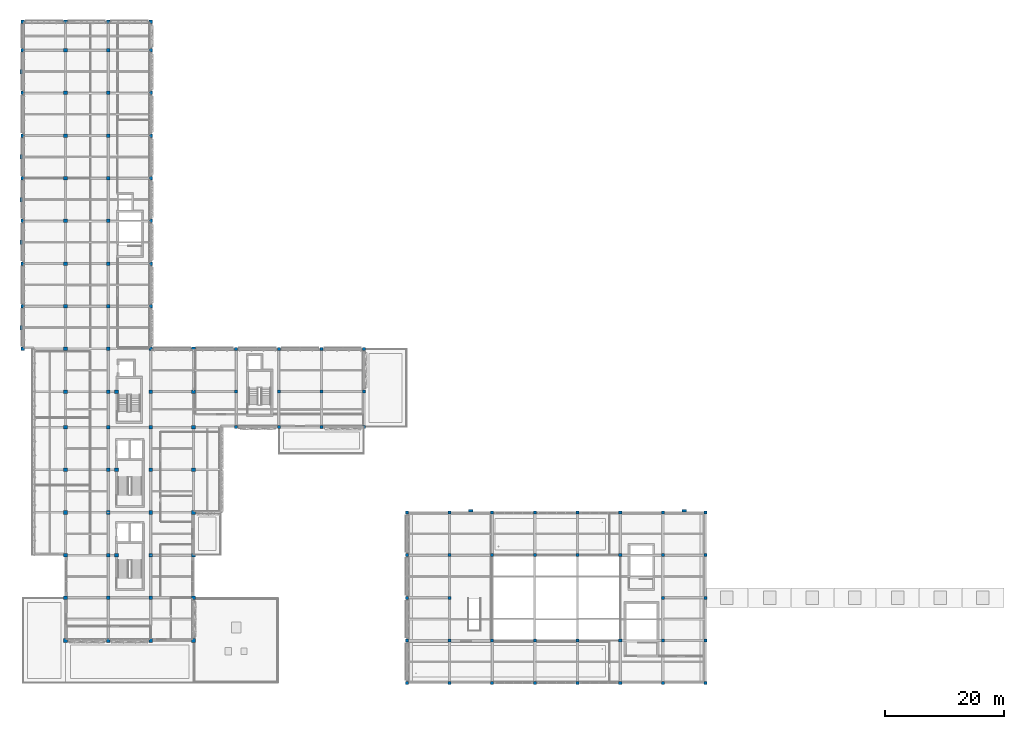
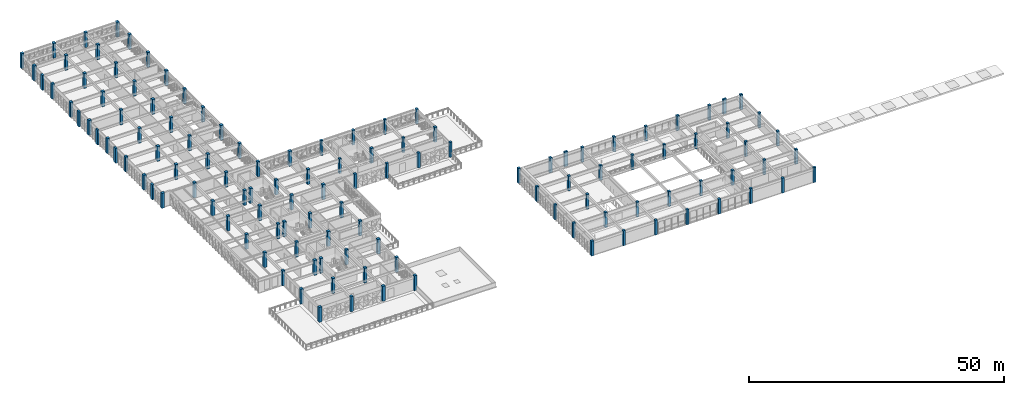
# One storey, part 1 of 74: 123 columns.
"""IFC4 building model written with IfcOpenShell, lengths in metres."""

from ifc_helpers import new_model, si_unit, direction, frame, origin, origin_2d, place, context, subcontext, project, spatial, rectangle, extrude, material, material_profile, profile_set, type_object, element, save


model = new_model("IFC4")

# Units and contexts
model_context = context("Model", 3, precision=1e-05, world=origin(), true_north=direction((0.0, 1.0)))
body_context = subcontext(model_context, "Body", "Model", "MODEL_VIEW")
ifc_project = project(units=[si_unit("LENGTHUNIT", "METRE"), si_unit("AREAUNIT", "SQUARE_METRE"), si_unit("VOLUMEUNIT", "CUBIC_METRE"), si_unit("PLANEANGLEUNIT", "RADIAN"), si_unit("MASSUNIT", "GRAM", prefix="KILO")], contexts=[model_context])

# Site, building, storey
site_placement = place(None, origin())
site = spatial("IfcSite", under=ifc_project, at=site_placement, CompositionType="ELEMENT")
building_placement = place(site_placement, origin())
building = spatial("IfcBuilding", under=site, at=building_placement, Name="Alvorim Cloister Faculty of Sciences", CompositionType="ELEMENT")
storey_placement = place(building_placement, frame((0.0, 0.0, 15.75)))
storey = spatial("IfcBuildingStorey", under=building, at=storey_placement, Name="L04", CompositionType="ELEMENT", Elevation=15.75)

# Columns
ifc_material_1 = material(Name="Glulam GL32h", Category="wood")
ifc_material_profile_1 = material_profile(ifc_material_1, rectangle(XDim=0.52001953125, YDim=0.52001953125, at=origin_2d()), Name="GL32-COL-520x520")
ifc_profile_set_1 = profile_set([ifc_material_profile_1], Name="Glulam GL32h")
column_type_1 = type_object("IfcColumnType", Name="COL-GL-520", PredefinedType="COLUMN", material=ifc_profile_set_1)
for number, where, z_axis, x_axis, name in (
    (1, (36.0, 43.199951171875, 0.0), (0.0, 0.0, 1.0), (1.0, 0.0, 0.0), "L04 Column COL-0898"),
    (2, (36.0, 49.199951171875, 0.0), (0.0, 0.0, 1.0), (1.0, 0.0, 0.0), "L04 Column COL-0899"),
    (3, (36.0, 56.39990234375, 0.0), (0.0, 0.0, 1.0), (1.0, 0.0, 0.0), "L04 Column COL-0900"),
    (4, (43.199951171875, 43.199951171875, 0.0), (0.0, 0.0, 1.0), (1.0, 0.0, 0.0), "L04 Column COL-0901"),
    (5, (43.199951171875, 49.199951171875, 0.0), (0.0, 0.0, 1.0), (1.0, 0.0, 0.0), "L04 Column COL-0902"),
    (6, (43.199951171875, 56.39990234375, 0.0), (0.0, 0.0, 1.0), (1.0, 0.0, 0.0), "L04 Column COL-0903"),
    (7, (50.39990234375, 43.199951171875, 0.0), (0.0, 0.0, 1.0), (1.0, 0.0, 0.0), "L04 Column COL-0904"),
    (8, (50.39990234375, 49.199951171875, 0.0), (0.0, 0.0, 1.0), (1.0, 0.0, 0.0), "L04 Column COL-0905"),
    (9, (50.39990234375, 56.39990234375, 0.0), (0.0, 0.0, 1.0), (1.0, 0.0, 0.0), "L04 Column COL-0906"),
    (10, (57.60009765625, 43.199951171875, 0.0), (0.0, 0.0, 1.0), (1.0, 0.0, 0.0), "L04 Column COL-0907"),
    (11, (57.60009765625, 49.199951171875, 0.0), (0.0, 0.0, 1.0), (1.0, 0.0, 0.0), "L04 Column COL-0908"),
    (12, (57.60009765625, 56.39990234375, 0.0), (0.0, 0.0, 1.0), (1.0, 0.0, 0.0), "L04 Column COL-0909"),
    (13, (64.800048828125, 0.0, 0.0), (0.0, 0.0, 1.0), (1.0, 0.0, 0.0), "L04 Column COL-0910"),
    (14, (64.800048828125, 7.199951171875, 0.0), (0.0, 0.0, 1.0), (1.0, 0.0, 0.0), "L04 Column COL-0911"),
    (15, (64.800048828125, 14.39990234375, 0.0), (0.0, 0.0, 1.0), (1.0, 0.0, 0.0), "L04 Column COL-0912"),
    (16, (64.800048828125, 21.60009765625, 0.0), (0.0, 0.0, 1.0), (1.0, 0.0, 0.0), "L04 Column COL-0913"),
    (17, (64.800048828125, 28.800048828125, 0.0), (0.0, 0.0, 1.0), (1.0, 0.0, 0.0), "L04 Column COL-0914"),
    (18, (72.0, 0.0, 0.0), (0.0, 0.0, 1.0), (1.0, 0.0, 0.0), "L04 Column COL-0915"),
    (19, (72.0, 7.199951171875, 0.0), (0.0, 0.0, 1.0), (1.0, 0.0, 0.0), "L04 Column COL-0916"),
    (20, (72.0, 14.39990234375, 0.0), (0.0, 0.0, 1.0), (1.0, 0.0, 0.0), "L04 Column COL-0917"),
    (21, (72.0, 21.60009765625, 0.0), (0.0, 0.0, 1.0), (1.0, 0.0, 0.0), "L04 Column COL-0918"),
    (22, (72.0, 28.800048828125, 0.0), (0.0, 0.0, 1.0), (1.0, 0.0, 0.0), "L04 Column COL-0919"),
    (23, (79.199951171875, 0.0, 0.0), (0.0, 0.0, 1.0), (1.0, 0.0, 0.0), "L04 Column COL-0920"),
    (24, (79.199951171875, 7.199951171875, 0.0), (0.0, 0.0, 1.0), (1.0, 0.0, 0.0), "L04 Column COL-0921"),
    (25, (79.199951171875, 21.60009765625, 0.0), (0.0, 0.0, 1.0), (1.0, 0.0, 0.0), "L04 Column COL-0922"),
    (26, (79.199951171875, 28.800048828125, 0.0), (0.0, 0.0, 1.0), (1.0, 0.0, 0.0), "L04 Column COL-0923"),
    (27, (86.39990234375, 0.0, 0.0), (0.0, 0.0, 1.0), (1.0, 0.0, 0.0), "L04 Column COL-0924"),
    (28, (86.39990234375, 7.199951171875, 0.0), (0.0, 0.0, 1.0), (1.0, 0.0, 0.0), "L04 Column COL-0925"),
    (29, (86.39990234375, 21.60009765625, 0.0), (0.0, 0.0, 1.0), (1.0, 0.0, 0.0), "L04 Column COL-0926"),
    (30, (86.39990234375, 28.800048828125, 0.0), (0.0, 0.0, 1.0), (1.0, 0.0, 0.0), "L04 Column COL-0927"),
    (31, (93.60009765625, 0.0, 0.0), (0.0, 0.0, 1.0), (1.0, 0.0, 0.0), "L04 Column COL-0928"),
    (32, (93.60009765625, 7.199951171875, 0.0), (0.0, 0.0, 1.0), (1.0, 0.0, 0.0), "L04 Column COL-0929"),
    (33, (93.60009765625, 21.60009765625, 0.0), (0.0, 0.0, 1.0), (1.0, 0.0, 0.0), "L04 Column COL-0930"),
    (34, (93.60009765625, 28.800048828125, 0.0), (0.0, 0.0, 1.0), (1.0, 0.0, 0.0), "L04 Column COL-0931"),
    (35, (100.800048828125, 0.0, 0.0), (0.0, 0.0, 1.0), (1.0, 0.0, 0.0), "L04 Column COL-0932"),
    (36, (100.800048828125, 7.199951171875, 0.0), (0.0, 0.0, 1.0), (1.0, 0.0, 0.0), "L04 Column COL-0933"),
    (37, (100.800048828125, 21.60009765625, 0.0), (0.0, 0.0, 1.0), (1.0, 0.0, 0.0), "L04 Column COL-0934"),
    (38, (100.800048828125, 28.800048828125, 0.0), (0.0, 0.0, 1.0), (1.0, 0.0, 0.0), "L04 Column COL-0935"),
    (39, (108.0, 0.0, 0.0), (0.0, 0.0, 1.0), (1.0, 0.0, 0.0), "L04 Column COL-0936"),
    (40, (108.0, 7.199951171875, 0.0), (0.0, 0.0, 1.0), (1.0, 0.0, 0.0), "L04 Column COL-0937"),
    (41, (108.0, 14.39990234375, 0.0), (0.0, 0.0, 1.0), (1.0, 0.0, 0.0), "L04 Column COL-0938"),
    (42, (108.0, 21.60009765625, 0.0), (0.0, 0.0, 1.0), (1.0, 0.0, 0.0), "L04 Column COL-0939"),
    (43, (108.0, 28.800048828125, 0.0), (0.0, 0.0, 1.0), (1.0, 0.0, 0.0), "L04 Column COL-0940"),
    (44, (115.199951171875, 0.0, 0.0), (0.0, 0.0, 1.0), (1.0, 0.0, 0.0), "L04 Column COL-0941"),
    (45, (115.199951171875, 7.199951171875, 0.0), (0.0, 0.0, 1.0), (1.0, 0.0, 0.0), "L04 Column COL-0942"),
    (46, (115.199951171875, 14.39990234375, 0.0), (0.0, 0.0, 1.0), (1.0, 0.0, 0.0), "L04 Column COL-0943"),
    (47, (115.199951171875, 21.60009765625, 0.0), (0.0, 0.0, 1.0), (1.0, 0.0, 0.0), "L04 Column COL-0944"),
    (48, (115.199951171875, 28.800048828125, 0.0), (0.0, 0.0, 1.0), (1.0, 0.0, 0.0), "L04 Column COL-0945"),
):
    element("IfcColumn", number, at=place(storey_placement, frame(where, z_axis=z_axis, x_axis=x_axis)), inside=storey, type_object=column_type_1, Name=name, PredefinedType="COLUMN", context=body_context, shape_type="SweptSolid", body=[
        extrude(rectangle(XDim=0.52001953125, YDim=0.52001953125, at=origin_2d()), origin(), (0.0, 0.0, 1.0), 3.60009765625),
    ])
ifc_material_profile_2 = material_profile(ifc_material_1, rectangle(XDim=0.60009765625, YDim=0.60009765625, at=origin_2d()), Name="GL32-COL-600x600")
ifc_profile_set_2 = profile_set([ifc_material_profile_2], Name="Glulam GL32h")
column_type_2 = type_object("IfcColumnType", Name="COL-GL-600", PredefinedType="COLUMN", material=ifc_profile_set_2)
for number, where, z_axis, x_axis, name in (
    (49, (0.0, 56.39990234375, 0.0), (0.0, 0.0, 1.0), (1.0, 0.0, 0.0), "L04 Column COL-0830"),
    (50, (0.0, 63.60009765625, 0.0), (0.0, 0.0, 1.0), (1.0, 0.0, 0.0), "L04 Column COL-0831"),
    (51, (0.0, 70.800048828125, 0.0), (0.0, 0.0, 1.0), (1.0, 0.0, 0.0), "L04 Column COL-0832"),
    (52, (0.0, 78.0, 0.0), (0.0, 0.0, 1.0), (1.0, 0.0, 0.0), "L04 Column COL-0833"),
    (53, (0.0, 85.199951171875, 0.0), (0.0, 0.0, 1.0), (1.0, 0.0, 0.0), "L04 Column COL-0834"),
    (54, (0.0, 92.39990234375, 0.0), (0.0, 0.0, 1.0), (1.0, 0.0, 0.0), "L04 Column COL-0835"),
    (55, (0.0, 99.60009765625, 0.0), (0.0, 0.0, 1.0), (1.0, 0.0, 0.0), "L04 Column COL-0836"),
    (56, (0.0, 106.800048828125, 0.0), (0.0, 0.0, 1.0), (1.0, 0.0, 0.0), "L04 Column COL-0837"),
    (57, (0.0, 111.60009765625, 0.0), (0.0, 0.0, 1.0), (1.0, 0.0, 0.0), "L04 Column COL-0838"),
    (58, (7.199951171875, 7.199951171875, 0.0), (0.0, 0.0, 1.0), (1.0, 0.0, 0.0), "L04 Column COL-0839"),
    (59, (7.199951171875, 14.39990234375, 0.0), (0.0, 0.0, 1.0), (1.0, 0.0, 0.0), "L04 Column COL-0840"),
    (60, (7.199951171875, 21.60009765625, 0.0), (0.0, 0.0, 1.0), (1.0, 0.0, 0.0), "L04 Column COL-0841"),
    (61, (7.199951171875, 28.800048828125, 0.0), (0.0, 0.0, 1.0), (1.0, 0.0, 0.0), "L04 Column COL-0842"),
    (62, (7.199951171875, 36.0, 0.0), (0.0, 0.0, 1.0), (1.0, 0.0, 0.0), "L04 Column COL-0843"),
    (63, (7.199951171875, 43.199951171875, 0.0), (0.0, 0.0, 1.0), (1.0, 0.0, 0.0), "L04 Column COL-0844"),
    (64, (7.199951171875, 49.199951171875, 0.0), (0.0, 0.0, 1.0), (1.0, 0.0, 0.0), "L04 Column COL-0845"),
    (65, (7.199951171875, 56.39990234375, 0.0), (0.0, 0.0, 1.0), (1.0, 0.0, 0.0), "L04 Column COL-0846"),
    (66, (7.199951171875, 63.60009765625, 0.0), (0.0, 0.0, 1.0), (1.0, 0.0, 0.0), "L04 Column COL-0847"),
    (67, (7.199951171875, 70.800048828125, 0.0), (0.0, 0.0, 1.0), (1.0, 0.0, 0.0), "L04 Column COL-0848"),
    (68, (7.199951171875, 78.0, 0.0), (0.0, 0.0, 1.0), (1.0, 0.0, 0.0), "L04 Column COL-0849"),
    (69, (7.199951171875, 85.199951171875, 0.0), (0.0, 0.0, 1.0), (1.0, 0.0, 0.0), "L04 Column COL-0850"),
    (70, (7.199951171875, 92.39990234375, 0.0), (0.0, 0.0, 1.0), (1.0, 0.0, 0.0), "L04 Column COL-0851"),
    (71, (7.199951171875, 99.60009765625, 0.0), (0.0, 0.0, 1.0), (1.0, 0.0, 0.0), "L04 Column COL-0852"),
    (72, (7.199951171875, 106.800048828125, 0.0), (0.0, 0.0, 1.0), (1.0, 0.0, 0.0), "L04 Column COL-0853"),
    (73, (7.199951171875, 111.60009765625, 0.0), (0.0, 0.0, 1.0), (1.0, 0.0, 0.0), "L04 Column COL-0854"),
    (74, (14.39990234375, 7.199951171875, 0.0), (0.0, 0.0, 1.0), (1.0, 0.0, 0.0), "L04 Column COL-0855"),
    (75, (14.39990234375, 14.39990234375, 0.0), (0.0, 0.0, 1.0), (1.0, 0.0, 0.0), "L04 Column COL-0856"),
    (76, (14.39990234375, 21.60009765625, 0.0), (0.0, 0.0, 1.0), (1.0, 0.0, 0.0), "L04 Column COL-0857"),
    (77, (14.39990234375, 28.800048828125, 0.0), (0.0, 0.0, 1.0), (1.0, 0.0, 0.0), "L04 Column COL-0858"),
    (78, (14.39990234375, 36.0, 0.0), (0.0, 0.0, 1.0), (1.0, 0.0, 0.0), "L04 Column COL-0859"),
    (79, (14.39990234375, 43.199951171875, 0.0), (0.0, 0.0, 1.0), (1.0, 0.0, 0.0), "L04 Column COL-0860"),
    (80, (14.39990234375, 49.199951171875, 0.0), (0.0, 0.0, 1.0), (1.0, 0.0, 0.0), "L04 Column COL-0861"),
    (81, (14.39990234375, 56.39990234375, 0.0), (0.0, 0.0, 1.0), (1.0, 0.0, 0.0), "L04 Column COL-0862"),
    (82, (14.39990234375, 63.60009765625, 0.0), (0.0, 0.0, 1.0), (1.0, 0.0, 0.0), "L04 Column COL-0863"),
    (83, (14.39990234375, 70.800048828125, 0.0), (0.0, 0.0, 1.0), (1.0, 0.0, 0.0), "L04 Column COL-0864"),
    (84, (14.39990234375, 78.0, 0.0), (0.0, 0.0, 1.0), (1.0, 0.0, 0.0), "L04 Column COL-0865"),
    (85, (14.39990234375, 85.199951171875, 0.0), (0.0, 0.0, 1.0), (1.0, 0.0, 0.0), "L04 Column COL-0866"),
    (86, (14.39990234375, 92.39990234375, 0.0), (0.0, 0.0, 1.0), (1.0, 0.0, 0.0), "L04 Column COL-0867"),
    (87, (14.39990234375, 99.60009765625, 0.0), (0.0, 0.0, 1.0), (1.0, 0.0, 0.0), "L04 Column COL-0868"),
    (88, (14.39990234375, 106.800048828125, 0.0), (0.0, 0.0, 1.0), (1.0, 0.0, 0.0), "L04 Column COL-0869"),
    (89, (14.39990234375, 111.60009765625, 0.0), (0.0, 0.0, 1.0), (1.0, 0.0, 0.0), "L04 Column COL-0870"),
    (90, (15.800048828125, 21.60009765625, 0.0), (0.0, 0.0, 1.0), (1.0, 0.0, 0.0), "L04 Column COL-0871"),
    (91, (15.800048828125, 36.0, 0.0), (0.0, 0.0, 1.0), (1.0, 0.0, 0.0), "L04 Column COL-0872"),
    (92, (15.800048828125, 49.199951171875, 0.0), (0.0, 0.0, 1.0), (1.0, 0.0, 0.0), "L04 Column COL-0873"),
    (93, (21.60009765625, 7.199951171875, 0.0), (0.0, 0.0, 1.0), (1.0, 0.0, 0.0), "L04 Column COL-0874"),
    (94, (21.60009765625, 14.39990234375, 0.0), (0.0, 0.0, 1.0), (1.0, 0.0, 0.0), "L04 Column COL-0875"),
    (95, (21.60009765625, 21.60009765625, 0.0), (0.0, 0.0, 1.0), (1.0, 0.0, 0.0), "L04 Column COL-0876"),
    (96, (21.60009765625, 28.800048828125, 0.0), (0.0, 0.0, 1.0), (1.0, 0.0, 0.0), "L04 Column COL-0877"),
    (97, (21.60009765625, 36.0, 0.0), (0.0, 0.0, 1.0), (1.0, 0.0, 0.0), "L04 Column COL-0878"),
    (98, (21.60009765625, 43.199951171875, 0.0), (0.0, 0.0, 1.0), (1.0, 0.0, 0.0), "L04 Column COL-0879"),
    (99, (21.60009765625, 49.199951171875, 0.0), (0.0, 0.0, 1.0), (1.0, 0.0, 0.0), "L04 Column COL-0880"),
    (100, (21.60009765625, 56.39990234375, 0.0), (0.0, 0.0, 1.0), (1.0, 0.0, 0.0), "L04 Column COL-0881"),
    (101, (21.60009765625, 63.60009765625, 0.0), (0.0, 0.0, 1.0), (1.0, 0.0, 0.0), "L04 Column COL-0882"),
    (102, (21.60009765625, 70.800048828125, 0.0), (0.0, 0.0, 1.0), (1.0, 0.0, 0.0), "L04 Column COL-0883"),
    (103, (21.60009765625, 78.0, 0.0), (0.0, 0.0, 1.0), (1.0, 0.0, 0.0), "L04 Column COL-0884"),
    (104, (21.60009765625, 85.199951171875, 0.0), (0.0, 0.0, 1.0), (1.0, 0.0, 0.0), "L04 Column COL-0885"),
    (105, (21.60009765625, 92.39990234375, 0.0), (0.0, 0.0, 1.0), (1.0, 0.0, 0.0), "L04 Column COL-0886"),
    (106, (21.60009765625, 99.60009765625, 0.0), (0.0, 0.0, 1.0), (1.0, 0.0, 0.0), "L04 Column COL-0887"),
    (107, (21.60009765625, 106.800048828125, 0.0), (0.0, 0.0, 1.0), (1.0, 0.0, 0.0), "L04 Column COL-0888"),
    (108, (21.60009765625, 111.60009765625, 0.0), (0.0, 0.0, 1.0), (1.0, 0.0, 0.0), "L04 Column COL-0889"),
    (109, (28.800048828125, 7.199951171875, 0.0), (0.0, 0.0, 1.0), (1.0, 0.0, 0.0), "L04 Column COL-0890"),
    (110, (28.800048828125, 14.39990234375, 0.0), (0.0, 0.0, 1.0), (1.0, 0.0, 0.0), "L04 Column COL-0891"),
    (111, (28.800048828125, 21.60009765625, 0.0), (0.0, 0.0, 1.0), (1.0, 0.0, 0.0), "L04 Column COL-0892"),
    (112, (28.800048828125, 28.800048828125, 0.0), (0.0, 0.0, 1.0), (1.0, 0.0, 0.0), "L04 Column COL-0893"),
    (113, (28.800048828125, 36.0, 0.0), (0.0, 0.0, 1.0), (1.0, 0.0, 0.0), "L04 Column COL-0894"),
    (114, (28.800048828125, 43.199951171875, 0.0), (0.0, 0.0, 1.0), (1.0, 0.0, 0.0), "L04 Column COL-0895"),
    (115, (28.800048828125, 49.199951171875, 0.0), (0.0, 0.0, 1.0), (1.0, 0.0, 0.0), "L04 Column COL-0896"),
    (116, (28.800048828125, 56.39990234375, 0.0), (0.0, 0.0, 1.0), (1.0, 0.0, 0.0), "L04 Column COL-0897"),
):
    element("IfcColumn", number, at=place(storey_placement, frame(where, z_axis=z_axis, x_axis=x_axis)), inside=storey, type_object=column_type_2, Name=name, PredefinedType="COLUMN", context=body_context, shape_type="SweptSolid", body=[
        extrude(rectangle(XDim=0.60009765625, YDim=0.60009765625, at=origin_2d()), origin(), (0.0, 0.0, 1.0), 3.60009765625),
    ])
ifc_material_2 = material(Name="Precast Concrete C40", Category="concrete")
ifc_material_profile_3 = material_profile(ifc_material_2, rectangle(XDim=0.39990234375, YDim=0.75, at=origin_2d()), Name="RC40-PIL-400x750")
ifc_profile_set_3 = profile_set([ifc_material_profile_3], Name="Precast Concrete C40")
column_type_3 = type_object("IfcColumnType", Name="PIL-PC-400x750", PredefinedType="PILASTER", material=ifc_profile_set_3)
for number, where, z_axis, x_axis, name in (
    (117, (-0.280029296875, 60.0, 0.0), (0.0, 0.0, 1.0), (1.0, 0.0, 0.0), "L04 Gothic Buttress Pier COL-1135"),
    (118, (-0.280029296875, 74.39990234375, 0.0), (0.0, 0.0, 1.0), (1.0, 0.0, 0.0), "L04 Gothic Buttress Pier COL-1141"),
    (119, (-0.280029296875, 81.60009765625, 0.0), (0.0, 0.0, 1.0), (1.0, 0.0, 0.0), "L04 Gothic Buttress Pier COL-1147"),
    (120, (-0.280029296875, 88.800048828125, 0.0), (0.0, 0.0, 1.0), (1.0, 0.0, 0.0), "L04 Gothic Buttress Pier COL-1153"),
    (121, (-0.280029296875, 103.199951171875, 0.0), (0.0, 0.0, 1.0), (1.0, 0.0, 0.0), "L04 Gothic Buttress Pier COL-1159"),
    (122, (75.60009765625, 29.080078125, 0.0), (0.0, 0.0, 1.0), (0.0, 1.0, 0.0), "L04 Gothic Buttress Pier COL-1198"),
    (123, (111.60009765625, 29.080078125, 0.0), (0.0, 0.0, 1.0), (0.0, 1.0, 0.0), "L04 Gothic Buttress Pier COL-1204"),
):
    element("IfcColumn", number, at=place(storey_placement, frame(where, z_axis=z_axis, x_axis=x_axis)), inside=storey, type_object=column_type_3, Name=name, PredefinedType="PILASTER", context=body_context, shape_type="SweptSolid", body=[
        extrude(rectangle(XDim=0.39990234375, YDim=0.75, at=origin_2d()), origin(), (0.0, 0.0, 1.0), 3.60009765625),
    ])

save(model, "model.ifc")
